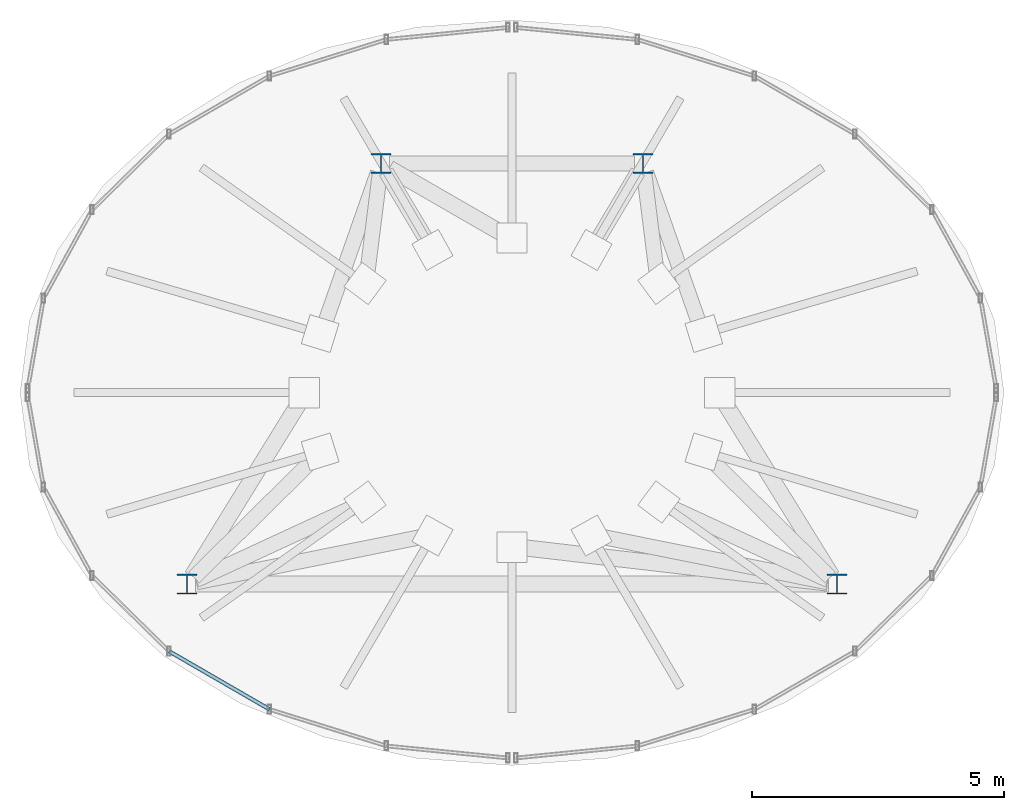
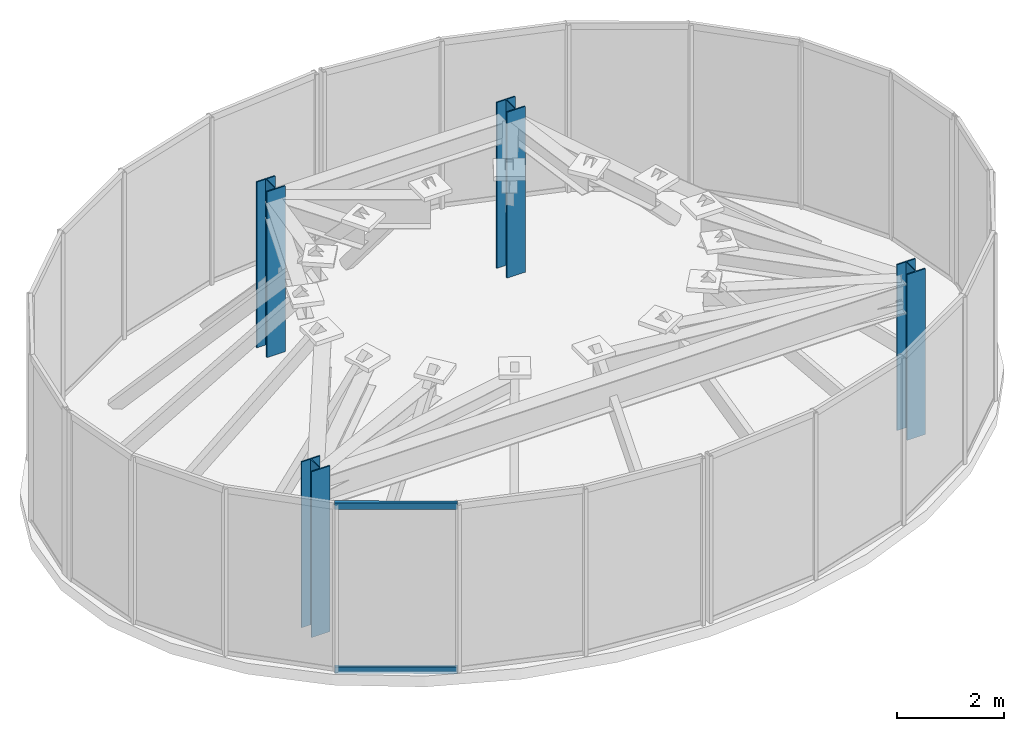
# One storey, part 1 of 8: 4 columns, 2 members, 1 element without a shape of its own.
"""IFC4 building model written with IfcOpenShell, lengths in metres."""

import ifcopenshell
import ifcopenshell.guid

model = None  # the IFC model being written
_history = None  # IfcOwnerHistory: only IFC2X3 demands one
_inside = {}  # id of a spatial element -> (the spatial element, [elements in it])
_under = {}  # id of a project, library or spatial element -> (it, [spatial elements below it])
_declared = {}  # id of a project -> (the project, [libraries it declares])
_typed = {}  # id of a type object -> (the type object, [elements of that type])
_made_of = {}  # id of a material, layer set ... -> (it, [elements and type objects made of it])


def new_model(schema):
    """Start an empty IFC model of exactly this schema.

    Asked for "IFC4X3", IfcOpenShell would pick the latest addendum, in which some entities
    have other attributes; the version numbers below select the first issue.
    IFC2X3 requires an IfcOwnerHistory on every rooted entity: one is made here for all.
    """
    global model, _history
    if schema == "IFC4X3":
        model = ifcopenshell.file(schema_version=(4, 3, 0, 0))
    else:
        model = ifcopenshell.file(schema=schema)
    _inside.clear()
    _under.clear()
    _declared.clear()
    _typed.clear()
    _made_of.clear()
    _history = None
    if model.schema == "IFC2X3":
        org = make("IfcOrganization", Name="unknown")
        user = make(
            "IfcPersonAndOrganization",
            ThePerson=make("IfcPerson", FamilyName="unknown"),
            TheOrganization=org,
        )
        app = make(
            "IfcApplication",
            ApplicationDeveloper=org,
            Version="unknown",
            ApplicationFullName="unknown",
            ApplicationIdentifier="unknown",
        )
        _history = make(
            "IfcOwnerHistory",
            OwningUser=user,
            OwningApplication=app,
            ChangeAction="ADDED",
            CreationDate=0,
        )
    return model


def make(cls, **values):
    """One entity of the class cls with the attributes given. An attribute that is None is left unset."""
    return model.create_entity(
        cls, **{name: value for name, value in values.items() if value is not None}
    )


def rooted(cls, **values):
    """An entity with a GlobalId (a new one), such as an element, a storey or a relation."""
    return make(cls, GlobalId=ifcopenshell.guid.new(), OwnerHistory=_history, **values)


def si_unit(unit_type, name, prefix=None):
    """IfcSIUnit, for example si_unit("LENGTHUNIT", "METRE", prefix="MILLI")."""
    return make("IfcSIUnit", UnitType=unit_type, Prefix=prefix, Name=name)


def assignment(units):
    """IfcUnitAssignment: the units of a project."""
    return None if units is None else make("IfcUnitAssignment", Units=units)


def point(xyz):
    """IfcCartesianPoint."""
    return None if xyz is None else make("IfcCartesianPoint", Coordinates=xyz)


def direction(xyz):
    """IfcDirection."""
    return None if xyz is None else make("IfcDirection", DirectionRatios=xyz)


def frame(location, z_axis=None, x_axis=None):
    """IfcAxis2Placement3D, a coordinate frame: its origin and axes. An axis left out is left unset."""
    return make(
        "IfcAxis2Placement3D",
        Location=point(location),
        Axis=direction(z_axis),
        RefDirection=direction(x_axis),
    )


def frame_2d(location, x_axis=None):
    """IfcAxis2Placement2D, a coordinate frame in the plane: its origin and x axis."""
    return make(
        "IfcAxis2Placement2D", Location=point(location), RefDirection=direction(x_axis)
    )


def origin():
    """The frame at (0, 0, 0) with its axes left unset."""
    return frame((0.0, 0.0, 0.0))


def origin_2d():
    """The frame at (0, 0) in the plane with its x axis left unset."""
    return frame_2d((0.0, 0.0))


def place(relative_to, where):
    """IfcLocalPlacement: puts the frame where relative to a parent placement (None: the world)."""
    return make(
        "IfcLocalPlacement", PlacementRelTo=relative_to, RelativePlacement=where
    )


def context(
    kind, dimensions, precision=None, world=None, true_north=None, identifier=None
):
    """IfcGeometricRepresentationContext, for example the 3D "Model" context."""
    return make(
        "IfcGeometricRepresentationContext",
        ContextIdentifier=identifier,
        ContextType=kind,
        CoordinateSpaceDimension=dimensions,
        Precision=precision,
        WorldCoordinateSystem=world,
        TrueNorth=true_north,
    )


def subcontext(parent, identifier, kind, view, scale=None):
    """IfcGeometricRepresentationSubContext, for example "Body" below "Model"."""
    return make(
        "IfcGeometricRepresentationSubContext",
        ContextIdentifier=identifier,
        ContextType=kind,
        ParentContext=parent,
        TargetScale=scale,
        TargetView=view,
    )


def project(units=None, contexts=None):
    """IfcProject with its units and contexts."""
    return rooted(
        "IfcProject",
        Name="project",
        RepresentationContexts=contexts,
        UnitsInContext=assignment(units),
    )


def spatial(cls, under=None, at=None, **own):
    """A site, building, storey or space (cls), placed at a placement, below another one or the project."""
    s = rooted(cls, ObjectPlacement=at, **own)
    if under is not None:
        _under.setdefault(under.id(), (under, []))[1].append(s)
    return s


def profile(cls, at=None, kind="AREA", **sizes):
    """A parametric profile (cls). Its sizes go by their IFC names, for example OverallWidth=200.0."""
    return make(cls, ProfileType=kind, Position=at, **sizes)


def hollow_rectangle(**sizes):
    """IfcRectangleHollowProfileDef."""
    return profile("IfcRectangleHollowProfileDef", **sizes)


def i_section(**sizes):
    """IfcIShapeProfileDef."""
    return profile("IfcIShapeProfileDef", **sizes)


def extrude(swept, where, along, depth):
    """IfcExtrudedAreaSolid: the profile swept, set in the frame where, extruded along a direction by depth."""
    return make(
        "IfcExtrudedAreaSolid",
        SweptArea=swept,
        Position=where,
        ExtrudedDirection=direction(along),
        Depth=depth,
    )


def shape(context_of_items, identifier, shape_type, items):
    """IfcShapeRepresentation: the items that make up one representation, for example the "Body"."""
    return make(
        "IfcShapeRepresentation",
        ContextOfItems=context_of_items,
        RepresentationIdentifier=identifier,
        RepresentationType=shape_type,
        Items=items,
    )


def material(Name=None, Category=None):
    """IfcMaterial."""
    return make("IfcMaterial", Name=Name, Category=Category)


def material_profile(
    of_material, cross_section, Name=None, Category=None, Priority=None
):
    """IfcMaterialProfile: a cross section and its material."""
    return make(
        "IfcMaterialProfile",
        Name=Name,
        Material=of_material,
        Profile=cross_section,
        Priority=Priority,
        Category=Category,
    )


def profile_set(profiles, Name=None, composite=None):
    """IfcMaterialProfileSet."""
    return make(
        "IfcMaterialProfileSet",
        Name=Name,
        MaterialProfiles=profiles,
        CompositeProfile=composite,
    )


def made_of(thing, what):
    """Note that an element or type object is made of a material, layer set ...; save() writes the relation."""
    if what is not None:
        _made_of.setdefault(what.id(), (what, []))[1].append(thing)
    return thing


def type_object(cls, material=None, **own):
    """A type object (cls), such as IfcWallType, which elements share."""
    return made_of(rooted(cls, **own), material)


def element(
    cls,
    number,
    at=None,
    inside=None,
    cuts=None,
    type_object=None,
    material=None,
    context=None,
    identifier="Body",
    shape_type=None,
    held_by="IfcProductDefinitionShape",
    body=None,
    shapes=None,
    **own,
):
    """One element of the class cls, such as IfcWall. Its Tag is "e" and its number.

    at: its placement. inside: the storey or other place that contains it. cuts: it is an
    opening in that element (IfcRelVoidsElement). A single representation is given by context,
    identifier, shape_type and body (its items); several are given by shapes. held_by: the class
    of the entity that holds the representations. save() writes the other relations.
    """
    e = rooted(cls, Tag="e%d" % number, ObjectPlacement=at, **own)
    if body is not None:
        shapes = [shape(context, identifier, shape_type, body)]
    if shapes is not None:
        e.Representation = make(held_by, Representations=shapes)
    if inside is not None:
        _inside.setdefault(inside.id(), (inside, []))[1].append(e)
    if cuts is not None:
        rooted(
            "IfcRelVoidsElement", RelatingBuildingElement=cuts, RelatedOpeningElement=e
        )
    if type_object is not None:
        _typed.setdefault(type_object.id(), (type_object, []))[1].append(e)
    return made_of(e, material)


def aggregate(whole, parts):
    """IfcRelAggregates: a whole, such as a stair, and the parts it consists of."""
    return rooted("IfcRelAggregates", RelatingObject=whole, RelatedObjects=parts)


def save(model, path):
    """Write the relations noted so far, then the file.

    IfcRelAggregates (storeys below a building ...), IfcRelContainedInSpatialStructure (elements
    in a storey), IfcRelDefinesByType, IfcRelAssociatesMaterial and IfcRelDeclares: one each for
    every whole, place, type object, material and project.
    """
    for whole, parts in _under.values():
        aggregate(whole, parts)
    for where, things in _inside.values():
        rooted(
            "IfcRelContainedInSpatialStructure",
            RelatedElements=things,
            RelatingStructure=where,
        )
    for kind, things in _typed.values():
        rooted("IfcRelDefinesByType", RelatedObjects=things, RelatingType=kind)
    for what, things in _made_of.values():
        rooted("IfcRelAssociatesMaterial", RelatedObjects=things, RelatingMaterial=what)
    for by, libraries in _declared.values():
        rooted("IfcRelDeclares", RelatingContext=by, RelatedDefinitions=libraries)
    model.write(path)


model = new_model("IFC4")

# Units and contexts
model_context = context("Model", 3, precision=1e-05, world=origin(), true_north=direction((0.0, 1.0)))
body_context = subcontext(model_context, "Body", "Model", "MODEL_VIEW")
ifc_project = project(units=[si_unit("LENGTHUNIT", "METRE"), si_unit("AREAUNIT", "SQUARE_METRE"), si_unit("VOLUMEUNIT", "CUBIC_METRE"), si_unit("PLANEANGLEUNIT", "RADIAN"), si_unit("MASSUNIT", "GRAM", prefix="KILO")], contexts=[model_context])

# Site, building, storey
site_placement = place(None, origin())
site = spatial("IfcSite", under=ifc_project, at=site_placement, CompositionType="ELEMENT")
building_placement = place(site_placement, origin())
building = spatial("IfcBuilding", under=site, at=building_placement, Name="Vorneva Point Tower", CompositionType="ELEMENT")
storey_placement = place(building_placement, frame((0.0, 0.0, 310.60009765625)))
storey = spatial("IfcBuildingStorey", under=building, at=storey_placement, Name="C05", CompositionType="ELEMENT", Elevation=310.60009765625)

# Columns
ifc_material_1 = material(Name="Steel S355", Category="steel")
ifc_material_profile_1 = material_profile(ifc_material_1, i_section(OverallWidth=0.39990234375, OverallDepth=0.39990234375, WebThickness=0.01806640625, FlangeThickness=0.028076171875, at=origin_2d()), Name="40K4")
ifc_profile_set_1 = profile_set([ifc_material_profile_1], Name="Steel S355")
column_type = type_object("IfcColumnType", Name="PIL-STL-40K4", PredefinedType="PILASTER", material=ifc_profile_set_1)
for number, where, z_axis, x_axis, name in (
    (1, (31.550048828125, 22.199951171875, 0.0), (0.0, 0.0, 1.0), (1.0, 0.0, 0.0), "C05 Core Pilaster CP4"),
    (2, (44.449951171875, 22.199951171875, 0.0), (0.0, 0.0, 1.0), (1.0, 0.0, 0.0), "C05 Core Pilaster CP8"),
    (3, (35.39990234375, 30.550048828125, 0.0), (0.0, 0.0, 1.0), (1.0, 0.0, 0.0), "C05 Core Pilaster CP9"),
    (4, (40.60009765625, 30.550048828125, 0.0), (0.0, 0.0, 1.0), (1.0, 0.0, 0.0), "C05 Core Pilaster CP10"),
):
    element("IfcColumn", number, at=place(storey_placement, frame(where, z_axis=z_axis, x_axis=x_axis)), inside=storey, type_object=column_type, Name=name, PredefinedType="PILASTER", context=body_context, shape_type="SweptSolid", body=[
        extrude(i_section(OverallWidth=0.39990234375, OverallDepth=0.39990234375, WebThickness=0.01806640625, FlangeThickness=0.028076171875, at=origin_2d()), origin(), (0.0, 0.0, 1.0), 3.7998046875),
    ])

# Curtain wall, members
ifc_material_2 = material(Name="Pale anodised aluminium", Category="aluminium")
curtain_wall_type = type_object("IfcCurtainWallType", Name="CW-CRN-SYS", PredefinedType="NOTDEFINED", material=ifc_material_2)
curtain_wall_placement = place(storey_placement, origin())
curtain_wall = element("IfcCurtainWall", 5, at=curtain_wall_placement, inside=storey, type_object=curtain_wall_type, Name="C05 Unitised Curtain Wall CW-C05-Q3", PredefinedType="NOTDEFINED")
ifc_material_profile_2 = material_profile(ifc_material_2, hollow_rectangle(XDim=0.074951171875, YDim=0.14990234375, WallThickness=0.00390625, at=origin_2d()), Name="AL-TRN 150x75x4")
ifc_profile_set_2 = profile_set([ifc_material_profile_2], Name="Pale anodised aluminium")
member_type = type_object("IfcMemberType", Name="CW-TRN-150", PredefinedType="USERDEFINED", material=ifc_profile_set_2)
member_1_placement = place(storey_placement, frame((31.19189453125, 20.866455078125, 0.02001953125), z_axis=(0.865556848897, -0.500810684119, 0.0), x_axis=(0.500810684119, 0.865556848897, 0.0)))
member_1 = element("IfcMember", 6, at=member_1_placement, type_object=member_type, Name="CW-C05-Q3 Transom 04.1", ObjectType="TRANSOM", PredefinedType="USERDEFINED", context=body_context, shape_type="SweptSolid", body=[
    extrude(hollow_rectangle(XDim=0.074951171875, YDim=0.14990234375, WallThickness=0.00390625, at=origin_2d()), origin(), (0.0, 0.0, 1.0), 2.303955078125),
])
member_2_placement = place(storey_placement, frame((31.19189453125, 20.866455078125, 3.77978515625), z_axis=(0.865556848897, -0.500810684119, 0.0), x_axis=(0.500810684119, 0.865556848897, 0.0)))
member_2 = element("IfcMember", 7, at=member_2_placement, type_object=member_type, Name="CW-C05-Q3 Transom 04.2", ObjectType="TRANSOM", PredefinedType="USERDEFINED", context=body_context, shape_type="SweptSolid", body=[
    extrude(hollow_rectangle(XDim=0.074951171875, YDim=0.14990234375, WallThickness=0.00390625, at=origin_2d()), origin(), (0.0, 0.0, 1.0), 2.303955078125),
])
aggregate(curtain_wall, [member_1, member_2])

save(model, "model.ifc")
